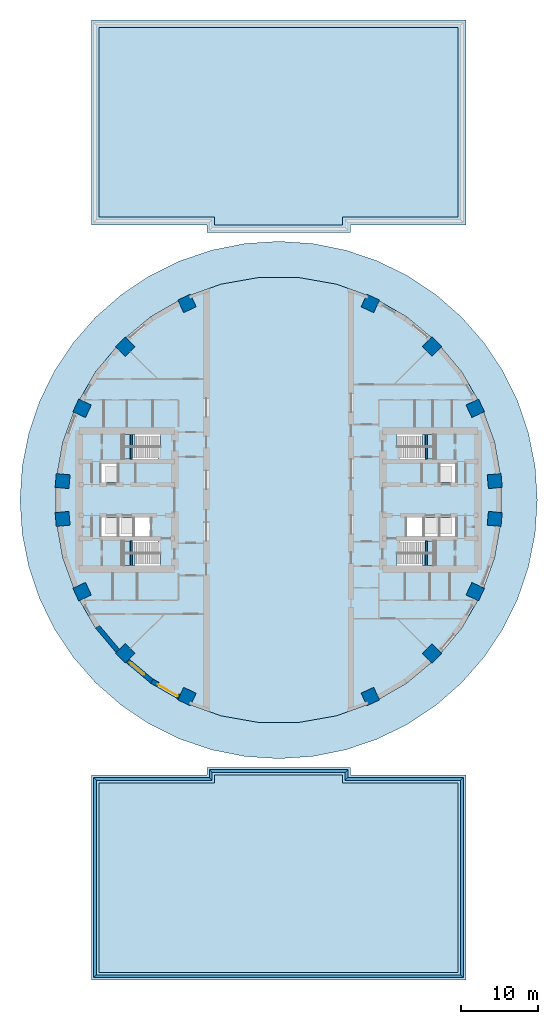
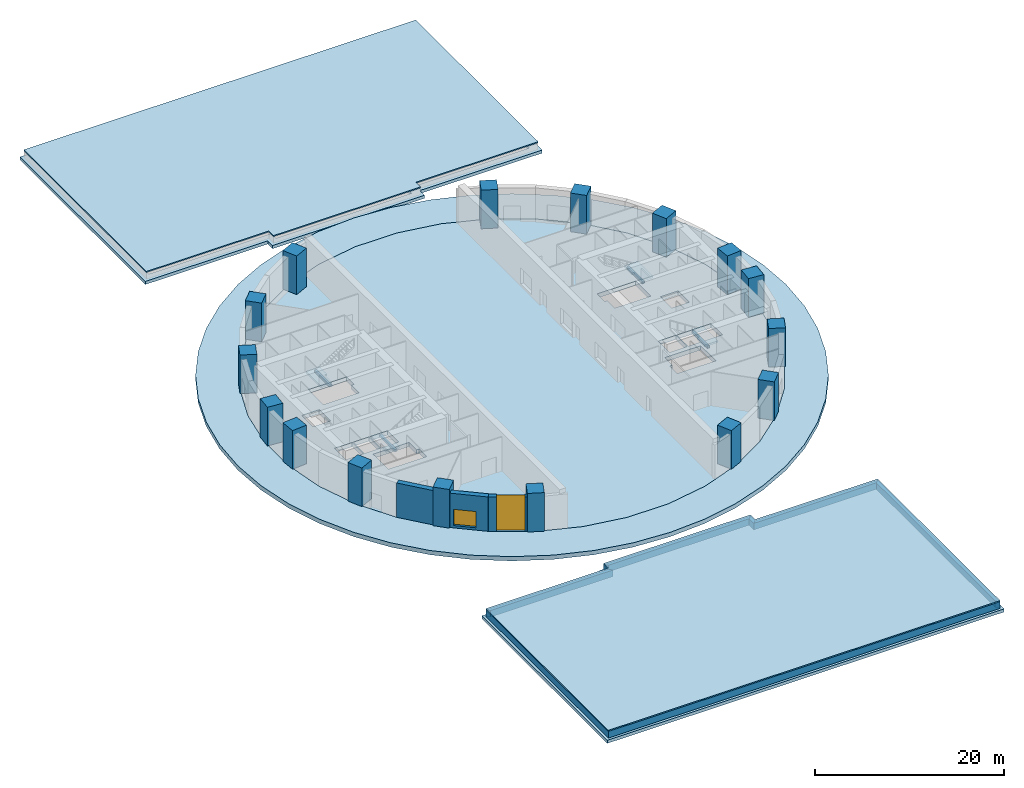
# One storey, part 1 of 10: 16 columns, 11 walls, 8 slabs, 4 beams, 2 footings, 1 door, 1 window, 2 openings, 4 elements without a shape of their own.
"""IFC4 building model written with IfcOpenShell, lengths in metres."""

from ifc_helpers import new_model, si_unit, direction, frame, frame_2d, origin, origin_2d, place, context, subcontext, project, spatial, polyline, rectangle, outline, extrude, material, layer, layer_set, material_profile, profile_set, type_object, element, fill, aggregate, save


model = new_model("IFC4")

# Units and contexts
model_context = context("Model", 3, precision=1e-05, world=origin(), true_north=direction((0.0, 1.0)))
body_context = subcontext(model_context, "Body", "Model", "MODEL_VIEW")
ifc_project = project(units=[si_unit("LENGTHUNIT", "METRE"), si_unit("AREAUNIT", "SQUARE_METRE"), si_unit("VOLUMEUNIT", "CUBIC_METRE"), si_unit("PLANEANGLEUNIT", "RADIAN"), si_unit("MASSUNIT", "GRAM", prefix="KILO")], contexts=[model_context])

# Site, building, storey
site_placement = place(None, origin())
site = spatial("IfcSite", under=ifc_project, at=site_placement, CompositionType="ELEMENT")
building_placement = place(site_placement, origin())
building = spatial("IfcBuilding", under=site, at=building_placement, Name="Saqina Gate Tower", CompositionType="ELEMENT")
storey_placement = place(building_placement, origin())
storey = spatial("IfcBuildingStorey", under=building, at=storey_placement, Name="L00", CompositionType="ELEMENT", Elevation=0.0)

# Footings
ifc_material_1 = material(Name="Concrete C40/50", Category="concrete")
ifc_layer_1 = layer(ifc_material_1, 0.39990234375)
ifc_layer_set_1 = layer_set([ifc_layer_1], Name="Concrete C40/50")
footing_type = type_object("IfcFootingType", Name="STR-FORECOURT-STRIP-1000", PredefinedType="STRIP_FOOTING", material=ifc_layer_set_1)
footing_1_placement = place(storey_placement, frame((0.0, 0.0, -1.39990234375)))
element("IfcFooting", 1, at=footing_1_placement, inside=storey, type_object=footing_type, Name="FORECOURT STRIP FOOTING N", PredefinedType="STRIP_FOOTING", context=body_context, shape_type="SweptSolid", body=[
    extrude(outline(polyline([(-9.300048828125, 35.699951171875), (-9.300048828125, 34.699951171875), (9.300048828125, 34.699951171875), (9.300048828125, 35.699951171875), (24.300048828125, 35.699951171875), (24.300048828125, 62.300048828125), (-24.300048828125, 62.300048828125), (-24.300048828125, 35.699951171875), (-9.300048828125, 35.699951171875)]), holes=[polyline([(8.300048828125, 35.699951171875), (-8.300048828125, 35.699951171875), (-8.300048828125, 36.699951171875), (-23.300048828125, 36.699951171875), (-23.300048828125, 61.300048828125), (23.300048828125, 61.300048828125), (23.300048828125, 36.699951171875), (8.300048828125, 36.699951171875), (8.300048828125, 35.699951171875)])]), origin(), (0.0, 0.0, 1.0), 0.39990234375),
])
footing_2_placement = place(storey_placement, frame((0.0, 0.0, -1.39990234375)))
element("IfcFooting", 2, at=footing_2_placement, inside=storey, type_object=footing_type, Name="FORECOURT STRIP FOOTING S", PredefinedType="STRIP_FOOTING", context=body_context, shape_type="SweptSolid", body=[
    extrude(outline(polyline([(-24.300048828125, -62.300048828125), (24.300048828125, -62.300048828125), (24.300048828125, -35.699951171875), (9.300048828125, -35.699951171875), (9.300048828125, -34.699951171875), (-9.300048828125, -34.699951171875), (-9.300048828125, -35.699951171875), (-24.300048828125, -35.699951171875), (-24.300048828125, -62.300048828125)]), holes=[polyline([(23.300048828125, -36.699951171875), (23.300048828125, -61.300048828125), (-23.300048828125, -61.300048828125), (-23.300048828125, -36.699951171875), (-8.300048828125, -36.699951171875), (-8.300048828125, -35.699951171875), (8.300048828125, -35.699951171875), (8.300048828125, -36.699951171875), (23.300048828125, -36.699951171875)])]), origin(), (0.0, 0.0, 1.0), 0.39990234375),
])

# Columns
ifc_material_2 = material(Name="Concrete C70/85", Category="concrete")
ifc_material_profile_1 = material_profile(ifc_material_2, rectangle(XDim=1.800048828125, YDim=1.800048828125, at=origin_2d()), Name="RC 1800x1800")
ifc_profile_set_1 = profile_set([ifc_material_profile_1], Name="Concrete C70/85")
column_type = type_object("IfcColumnType", Name="STR-COL-MEGA-P", PredefinedType="COLUMN", material=ifc_profile_set_1)
for number, where, z_axis, x_axis, name in (
    (3, (28.04296875, 2.453369140625, 0.0), (0.0, 0.0, 1.0), (0.996194698092, 0.087155742748, 0.0), "L00-COL01"),
    (4, (25.512451171875, 11.896728515625, 0.0), (0.0, 0.0, 1.0), (0.906307787037, 0.422618261741, 0.0), "L00-COL03"),
    (5, (19.905029296875, 19.905029296875, 0.0), (0.0, 0.0, 1.0), (0.707106781187, 0.707106781187, 0.0), "L00-COL05"),
    (6, (11.896728515625, 25.512451171875, 0.0), (0.0, 0.0, 1.0), (0.422618261741, 0.906307787037, 0.0), "L00-COL07"),
    (7, (-11.896728515625, 25.512451171875, 0.0), (0.0, 0.0, 1.0), (-0.422618261741, 0.906307787037, 0.0), "L00-COL12"),
    (8, (-19.905029296875, 19.905029296875, 0.0), (0.0, 0.0, 1.0), (-0.707106781187, 0.707106781187, 0.0), "L00-COL14"),
    (9, (-25.512451171875, 11.896728515625, 0.0), (0.0, 0.0, 1.0), (-0.906307787037, 0.422618261741, 0.0), "L00-COL16"),
    (10, (-28.04296875, 2.453369140625, 0.0), (0.0, 0.0, 1.0), (-0.996194698092, 0.087155742748, 0.0), "L00-COL18"),
    (11, (-28.04296875, -2.453369140625, 0.0), (0.0, 0.0, 1.0), (-0.996194698092, -0.087155742748, 0.0), "L00-COL19"),
    (12, (-25.512451171875, -11.896728515625, 0.0), (0.0, 0.0, 1.0), (-0.906307787037, -0.422618261741, 0.0), "L00-COL21"),
    (13, (-19.905029296875, -19.905029296875, 0.0), (0.0, 0.0, 1.0), (-0.707106781187, -0.707106781187, 0.0), "L00-COL23"),
    (14, (-11.896728515625, -25.512451171875, 0.0), (0.0, 0.0, 1.0), (-0.422618261741, -0.906307787037, 0.0), "L00-COL25"),
    (15, (11.896728515625, -25.512451171875, 0.0), (0.0, 0.0, 1.0), (0.422618261741, -0.906307787037, 0.0), "L00-COL30"),
    (16, (19.905029296875, -19.905029296875, 0.0), (0.0, 0.0, 1.0), (0.707106781187, -0.707106781187, 0.0), "L00-COL32"),
    (17, (25.512451171875, -11.896728515625, 0.0), (0.0, 0.0, 1.0), (0.906307787037, -0.422618261741, 0.0), "L00-COL34"),
    (18, (28.04296875, -2.453369140625, 0.0), (0.0, 0.0, 1.0), (0.996194698092, -0.087155742748, 0.0), "L00-COL36"),
):
    element("IfcColumn", number, at=place(storey_placement, frame(where, z_axis=z_axis, x_axis=x_axis)), inside=storey, type_object=column_type, Name=name, PredefinedType="COLUMN", context=body_context, shape_type="SweptSolid", body=[
        extrude(rectangle(XDim=1.800048828125, YDim=1.800048828125, at=origin_2d()), origin(), (0.0, 0.0, 1.0), 5.0),
    ])

# Beams
ifc_material_3 = material(Name="Concrete C40/50", Category="concrete")
ifc_material_profile_2 = material_profile(ifc_material_3, rectangle(XDim=0.25, YDim=0.300048828125, at=origin_2d()), Name="STAIR LANDING BEAM")
ifc_profile_set_2 = profile_set([ifc_material_profile_2], Name="Concrete C40/50")
beam_type = type_object("IfcBeamType", Name="STAIR LANDING BEAM", PredefinedType="BEAM", material=ifc_profile_set_2)
for number, where, z_axis, x_axis, name in (
    (19, (19.139892578125, 5.300048828125, 2.10009765625), (0.0, 1.0, 0.0), (-1.0, 0.0, 0.0), "EXIT STAIR 1 LANDING BEAM"),
    (20, (19.139892578125, -8.5, 2.10009765625), (0.0, 1.0, 0.0), (-1.0, 0.0, 0.0), "EXIT STAIR 2 LANDING BEAM"),
    (21, (-19.139892578125, 5.300048828125, 2.10009765625), (0.0, 1.0, 0.0), (-1.0, 0.0, 0.0), "EXIT STAIR 3 LANDING BEAM"),
    (22, (-19.139892578125, -8.5, 2.10009765625), (0.0, 1.0, 0.0), (-1.0, 0.0, 0.0), "EXIT STAIR 4 LANDING BEAM"),
):
    element("IfcBeam", number, at=place(storey_placement, frame(where, z_axis=z_axis, x_axis=x_axis)), inside=storey, type_object=beam_type, Name=name, PredefinedType="BEAM", context=body_context, shape_type="SweptSolid", body=[
        extrude(rectangle(XDim=0.25, YDim=0.300048828125, at=origin_2d()), origin(), (0.0, 0.0, 1.0), 3.199951171875),
    ])

# Stair, slab
ifc_material_4 = material(Name="Concrete C40/50", Category="concrete")
stair_type = type_object("IfcStairType", Name="EXIT STAIR", PredefinedType="HALF_TURN_STAIR", material=ifc_material_4)
stair_1_placement = place(storey_placement, origin())
stair_1 = element("IfcStair", 23, at=stair_1_placement, inside=storey, type_object=stair_type, Name="EXIT STAIR 1", PredefinedType="HALF_TURN_STAIR")
ifc_material_5 = material(Name="Concrete C40/50", Category="concrete")
ifc_layer_2 = layer(ifc_material_5, 0.25)
ifc_layer_set_2 = layer_set([ifc_layer_2], Name="Concrete C40/50")
slab_type_1 = type_object("IfcSlabType", Name="EXIT STAIR LANDING", PredefinedType="LANDING", material=ifc_layer_set_2)
slab_1_placement = place(storey_placement, frame((0.0, 0.0, 2.25)))
slab_1 = element("IfcSlab", 24, at=slab_1_placement, type_object=slab_type_1, Name="EXIT STAIR 1 LANDING 1", PredefinedType="LANDING", context=body_context, shape_type="SweptSolid", body=[
    extrude(outline(polyline([(20.340087890625, 8.5), (20.340087890625, 5.300048828125), (18.985107421875, 5.300048828125), (18.985107421875, 6.89990234375), (18.6708984375, 6.89990234375), (18.6708984375, 8.5), (18.985107421875, 8.5), (18.989990234375, 8.5), (20.340087890625, 8.5)])), origin(), (0.0, 0.0, 1.0), 0.25),
])
aggregate(stair_1, [slab_1])

stair_2_placement = place(storey_placement, origin())
stair_2 = element("IfcStair", 25, at=stair_2_placement, inside=storey, type_object=stair_type, Name="EXIT STAIR 2", PredefinedType="HALF_TURN_STAIR")
slab_2_placement = place(storey_placement, frame((0.0, 0.0, 2.25)))
slab_2 = element("IfcSlab", 26, at=slab_2_placement, type_object=slab_type_1, Name="EXIT STAIR 2 LANDING 1", PredefinedType="LANDING", context=body_context, shape_type="SweptSolid", body=[
    extrude(outline(polyline([(18.6708984375, -8.5), (18.6708984375, -6.89990234375), (18.985107421875, -6.89990234375), (18.985107421875, -5.300048828125), (20.340087890625, -5.300048828125), (20.340087890625, -8.5), (18.989990234375, -8.5), (18.985107421875, -8.5), (18.6708984375, -8.5)])), origin(), (0.0, 0.0, 1.0), 0.25),
])
aggregate(stair_2, [slab_2])

stair_3_placement = place(storey_placement, origin())
stair_3 = element("IfcStair", 27, at=stair_3_placement, inside=storey, type_object=stair_type, Name="EXIT STAIR 3", PredefinedType="HALF_TURN_STAIR")
slab_3_placement = place(storey_placement, frame((0.0, 0.0, 2.25)))
slab_3 = element("IfcSlab", 28, at=slab_3_placement, type_object=slab_type_1, Name="EXIT STAIR 3 LANDING 1", PredefinedType="LANDING", context=body_context, shape_type="SweptSolid", body=[
    extrude(outline(polyline([(-18.985107421875, 5.300048828125), (-20.340087890625, 5.300048828125), (-20.340087890625, 8.5), (-18.989990234375, 8.5), (-18.985107421875, 8.5), (-18.6708984375, 8.5), (-18.6708984375, 6.89990234375), (-18.985107421875, 6.89990234375), (-18.985107421875, 5.300048828125)])), origin(), (0.0, 0.0, 1.0), 0.25),
])
aggregate(stair_3, [slab_3])

stair_4_placement = place(storey_placement, origin())
stair_4 = element("IfcStair", 29, at=stair_4_placement, inside=storey, type_object=stair_type, Name="EXIT STAIR 4", PredefinedType="HALF_TURN_STAIR")
slab_4_placement = place(storey_placement, frame((0.0, 0.0, 2.25)))
slab_4 = element("IfcSlab", 30, at=slab_4_placement, type_object=slab_type_1, Name="EXIT STAIR 4 LANDING 1", PredefinedType="LANDING", context=body_context, shape_type="SweptSolid", body=[
    extrude(outline(polyline([(-18.6708984375, -6.89990234375), (-18.6708984375, -8.5), (-18.985107421875, -8.5), (-18.989990234375, -8.5), (-20.340087890625, -8.5), (-20.340087890625, -5.300048828125), (-18.985107421875, -5.300048828125), (-18.985107421875, -6.89990234375), (-18.6708984375, -6.89990234375)])), origin(), (0.0, 0.0, 1.0), 0.25),
])
aggregate(stair_4, [slab_4])

# Slabs
ifc_material_6 = material(Name="Clay paving units", Category="masonry")
ifc_layer_3 = layer(ifc_material_6, 0.14990234375)
ifc_layer_set_3 = layer_set([ifc_layer_3], Name="PV-PAVING")
slab_type_2 = type_object("IfcSlabType", Name="PV-PAVING", PredefinedType="USERDEFINED", material=ifc_layer_set_3)
slab_5_placement = place(storey_placement, frame((0.0, 0.0, -0.14990234375)))
element("IfcSlab", 31, at=slab_5_placement, inside=storey, type_object=slab_type_2, Name="Passage paving and forecourt N", ObjectType="PAVING", PredefinedType="USERDEFINED", context=body_context, shape_type="SweptSolid", body=[
    extrude(outline(polyline([(-9.0, 35.0), (9.0, 35.0), (9.0, 36.0), (24.0, 36.0), (24.0, 62.0), (-24.0, 62.0), (-24.0, 36.0), (-9.0, 36.0), (-9.0, 35.0)])), origin(), (0.0, 0.0, 1.0), 0.14990234375),
])
slab_6_placement = place(storey_placement, frame((0.0, 0.0, -0.14990234375)))
element("IfcSlab", 32, at=slab_6_placement, inside=storey, type_object=slab_type_2, Name="Passage paving and forecourt S", ObjectType="PAVING", PredefinedType="USERDEFINED", context=body_context, shape_type="SweptSolid", body=[
    extrude(outline(polyline([(24.0, -62.0), (24.0, -36.0), (9.0, -36.0), (9.0, -35.0), (-9.0, -35.0), (-9.0, -36.0), (-24.0, -36.0), (-24.0, -62.0), (24.0, -62.0)])), origin(), (0.0, 0.0, 1.0), 0.14990234375),
])
ifc_material_7 = material(Name="Concrete C40/50", Category="concrete")
ifc_layer_4 = layer(ifc_material_7, 0.550048828125)
ifc_layer_set_4 = layer_set([ifc_layer_4], Name="Concrete C40/50")
slab_type_3 = type_object("IfcSlabType", Name="STR-POST-TENSIONED FLAT PLATE FLOOR-550", PredefinedType="FLOOR", material=ifc_layer_set_4)
slab_7_placement = place(storey_placement, frame((0.0, 0.0, -0.550048828125)))
element("IfcSlab", 33, at=slab_7_placement, inside=storey, type_object=slab_type_3, Name="L00-SLB01", PredefinedType="FLOOR", context=body_context, shape_type="SweptSolid", body=[
    extrude(outline(polyline([(28.8896484375, -2.527587890625), (28.8896484375, 2.527587890625), (28.011962890625, 7.505859375), (26.282958984375, 12.255859375), (23.75537109375, 16.6337890625), (20.506103515625, 20.506103515625), (16.6337890625, 23.75537109375), (12.255859375, 26.282958984375), (7.505859375, 28.011962890625), (2.527587890625, 28.8896484375), (-2.527587890625, 28.8896484375), (-7.505859375, 28.011962890625), (-12.255859375, 26.282958984375), (-16.6337890625, 23.75537109375), (-20.506103515625, 20.506103515625), (-23.75537109375, 16.6337890625), (-26.282958984375, 12.255859375), (-28.011962890625, 7.505859375), (-28.8896484375, 2.527587890625), (-28.8896484375, -2.527587890625), (-28.011962890625, -7.505859375), (-26.282958984375, -12.255859375), (-23.75537109375, -16.6337890625), (-20.506103515625, -20.506103515625), (-16.6337890625, -23.75537109375), (-12.255859375, -26.282958984375), (-7.505859375, -28.011962890625), (-2.527587890625, -28.8896484375), (2.527587890625, -28.8896484375), (7.505859375, -28.011962890625), (12.255859375, -26.282958984375), (16.6337890625, -23.75537109375), (20.506103515625, -20.506103515625), (23.75537109375, -16.6337890625), (26.282958984375, -12.255859375), (28.011962890625, -7.505859375), (28.8896484375, -2.527587890625)]), holes=[polyline([(-20.06005859375, -8.5), (-20.06005859375, -6.89990234375), (-20.06005859375, -5.300048828125), (-15.6689453125, -5.300048828125), (-15.6689453125, -6.89990234375), (-15.35498046875, -6.89990234375), (-15.35498046875, -8.5), (-20.06005859375, -8.5)]), polyline([(-20.89990234375, -2.300048828125), (-20.89990234375, -4.699951171875), (-23.06005859375, -4.699951171875), (-23.06005859375, -2.300048828125), (-20.89990234375, -2.300048828125)]), polyline([(-18.8701171875, -2.300048828125), (-18.8701171875, -4.699951171875), (-20.780029296875, -4.699951171875), (-20.780029296875, -2.300048828125), (-18.8701171875, -2.300048828125)]), polyline([(-16.590087890625, -2.300048828125), (-16.590087890625, -4.699951171875), (-18.75, -4.699951171875), (-18.75, -2.300048828125), (-16.590087890625, -2.300048828125)]), polyline([(-20.89990234375, 4.699951171875), (-20.89990234375, 2.300048828125), (-23.06005859375, 2.300048828125), (-23.06005859375, 4.699951171875), (-20.89990234375, 4.699951171875)]), polyline([(-20.06005859375, 6.89990234375), (-20.06005859375, 8.5), (-15.35498046875, 8.5), (-15.35498046875, 6.89990234375), (-15.6689453125, 6.89990234375), (-15.6689453125, 5.300048828125), (-20.06005859375, 5.300048828125), (-20.06005859375, 6.89990234375)]), polyline([(15.35498046875, -6.89990234375), (15.6689453125, -6.89990234375), (15.6689453125, -5.300048828125), (20.06005859375, -5.300048828125), (20.06005859375, -6.89990234375), (20.06005859375, -8.5), (15.35498046875, -8.5), (15.35498046875, -6.89990234375)]), polyline([(18.75, -2.300048828125), (18.75, -4.699951171875), (16.590087890625, -4.699951171875), (16.590087890625, -2.300048828125), (18.75, -2.300048828125)]), polyline([(20.780029296875, -2.300048828125), (20.780029296875, -4.699951171875), (18.8701171875, -4.699951171875), (18.8701171875, -2.300048828125), (20.780029296875, -2.300048828125)]), polyline([(23.06005859375, -2.300048828125), (23.06005859375, -4.699951171875), (20.89990234375, -4.699951171875), (20.89990234375, -2.300048828125), (23.06005859375, -2.300048828125)]), polyline([(23.06005859375, 4.699951171875), (23.06005859375, 2.300048828125), (20.89990234375, 2.300048828125), (20.89990234375, 4.699951171875), (23.06005859375, 4.699951171875)]), polyline([(15.6689453125, 6.89990234375), (15.35498046875, 6.89990234375), (15.35498046875, 8.5), (20.06005859375, 8.5), (20.06005859375, 6.89990234375), (20.06005859375, 5.300048828125), (15.6689453125, 5.300048828125), (15.6689453125, 6.89990234375)])]), origin(), (0.0, 0.0, 1.0), 0.550048828125),
])
ifc_material_8 = material(Name="Concrete C40/50", Category="concrete")
ifc_layer_5 = layer(ifc_material_8, 0.550048828125)
ifc_layer_set_5 = layer_set([ifc_layer_5], Name="Concrete C40/50")
slab_type_4 = type_object("IfcSlabType", Name="STR-SLAB PLAZA-550", PredefinedType="FLOOR", material=ifc_layer_set_5)
slab_8_placement = place(storey_placement, frame((0.0, 0.0, -0.550048828125)))
element("IfcSlab", 34, at=slab_8_placement, inside=storey, type_object=slab_type_4, Name="L00-PLZ01", PredefinedType="FLOOR", context=body_context, shape_type="SweptSolid", body=[
    extrude(outline(polyline([(33.28466796875, -4.382080078125), (33.57177734375, 0.0), (33.28466796875, 4.382080078125), (32.427978515625, 8.68896484375), (31.016357421875, 12.847412109375), (29.07421875, 16.785888671875), (26.63427734375, 20.437255859375), (23.739013671875, 23.739013671875), (20.437255859375, 26.63427734375), (16.785888671875, 29.07421875), (12.847412109375, 31.016357421875), (8.68896484375, 32.427978515625), (4.382080078125, 33.28466796875), (0.0, 33.57177734375), (-4.382080078125, 33.28466796875), (-8.68896484375, 32.427978515625), (-12.847412109375, 31.016357421875), (-16.785888671875, 29.07421875), (-20.437255859375, 26.63427734375), (-23.739013671875, 23.739013671875), (-26.63427734375, 20.437255859375), (-29.07421875, 16.785888671875), (-31.016357421875, 12.847412109375), (-32.427978515625, 8.68896484375), (-33.28466796875, 4.382080078125), (-33.57177734375, 0.0), (-33.28466796875, -4.382080078125), (-32.427978515625, -8.68896484375), (-31.016357421875, -12.847412109375), (-29.07421875, -16.785888671875), (-26.63427734375, -20.437255859375), (-23.739013671875, -23.739013671875), (-20.437255859375, -26.63427734375), (-16.785888671875, -29.07421875), (-12.847412109375, -31.016357421875), (-8.68896484375, -32.427978515625), (-4.382080078125, -33.28466796875), (0.0, -33.57177734375), (4.382080078125, -33.28466796875), (8.68896484375, -32.427978515625), (12.847412109375, -31.016357421875), (16.785888671875, -29.07421875), (20.437255859375, -26.63427734375), (23.739013671875, -23.739013671875), (26.63427734375, -20.437255859375), (29.07421875, -16.785888671875), (31.016357421875, -12.847412109375), (32.427978515625, -8.68896484375), (33.28466796875, -4.382080078125)]), holes=[polyline([(28.011962890625, 7.505859375), (28.8896484375, 2.527587890625), (28.8896484375, -2.527587890625), (28.011962890625, -7.505859375), (26.282958984375, -12.255859375), (23.75537109375, -16.6337890625), (20.506103515625, -20.506103515625), (16.6337890625, -23.75537109375), (12.255859375, -26.282958984375), (7.505859375, -28.011962890625), (2.527587890625, -28.8896484375), (-2.527587890625, -28.8896484375), (-7.505859375, -28.011962890625), (-12.255859375, -26.282958984375), (-16.6337890625, -23.75537109375), (-20.506103515625, -20.506103515625), (-23.75537109375, -16.6337890625), (-26.282958984375, -12.255859375), (-28.011962890625, -7.505859375), (-28.8896484375, -2.527587890625), (-28.8896484375, 2.527587890625), (-28.011962890625, 7.505859375), (-26.282958984375, 12.255859375), (-23.75537109375, 16.6337890625), (-20.506103515625, 20.506103515625), (-16.6337890625, 23.75537109375), (-12.255859375, 26.282958984375), (-7.505859375, 28.011962890625), (-2.527587890625, 28.8896484375), (2.527587890625, 28.8896484375), (7.505859375, 28.011962890625), (12.255859375, 26.282958984375), (16.6337890625, 23.75537109375), (20.506103515625, 20.506103515625), (23.75537109375, 16.6337890625), (26.282958984375, 12.255859375), (28.011962890625, 7.505859375)])]), origin(), (0.0, 0.0, 1.0), 0.550048828125),
])

# Wall
ifc_material_9 = material(Name="Brick masonry (red)", Category="masonry")
ifc_layer_6 = layer(ifc_material_9, 0.60009765625)
ifc_layer_set_6 = layer_set([ifc_layer_6], Name="FW-BRICK-RED")
wall_type_1 = type_object("IfcWallType", Name="FW-BRICK-RED", PredefinedType="SOLIDWALL", material=ifc_layer_set_6)
wall_1_placement = place(storey_placement, frame((-23.50634765625, -16.4638671875, 0.0), z_axis=(0.0, 0.0, 1.0), x_axis=(0.642800844336, -0.766033337734, 0.0)))
element("IfcWall", 35, at=wall_1_placement, inside=storey, type_object=wall_type_1, Name="Facade wall L00 facet 22", PredefinedType="SOLIDWALL", context=body_context, shape_type="SweptSolid", body=[
    extrude(rectangle(XDim=4.0693359375, YDim=0.60009765625, at=frame_2d((2.03466796875, 0.0))), origin(), (0.0, 0.0, 1.0), 4.449951171875),
])

# Wall, opening, window
wall_2_placement = place(storey_placement, frame((-19.5810546875, -20.890625, 0.0), z_axis=(0.0, 0.0, 1.0), x_axis=(0.766033337734, -0.642800844336, 0.0)))
wall_2 = element("IfcWall", 36, at=wall_2_placement, inside=storey, type_object=wall_type_1, Name="Facade wall L00 facet 23", PredefinedType="SOLIDWALL", context=body_context, shape_type="SweptSolid", body=[
    extrude(rectangle(XDim=4.0693359375, YDim=0.60009765625, at=frame_2d((2.03466796875, 0.0))), origin(), (0.0, 0.0, 1.0), 4.449951171875),
])
opening_1_placement = place(wall_2_placement, frame((0.37158203125, 0.0, 0.300048828125)))
opening_1 = element("IfcOpeningElement", 37, at=opening_1_placement, cuts=wall_2, Name="Opening L00-W61", PredefinedType="OPENING", context=body_context, shape_type="SweptSolid", body=[
    extrude(rectangle(XDim=2.39990234375, YDim=2.10009765625, at=frame_2d((1.199951171875, 1.050048828125))), frame((0.0, 0.31201171875, 0.0), z_axis=(0.0, -1.0, 0.0), x_axis=(1.0, 0.0, 0.0)), (0.0, 0.0, 1.0), 0.6240234375),
])
ifc_material_10 = material(Name="Double glazed unit in aluminium frame", Category="aluminium")
window_type = type_object("IfcWindowType", Name="SHOPFRONT WINDOW 2400", PartitioningType="SINGLE_PANEL", PredefinedType="WINDOW", material=ifc_material_10)
window_placement = place(opening_1_placement, origin())
window = element("IfcWindow", 38, at=window_placement, inside=storey, type_object=window_type, Name="Shopfront window", OverallHeight=2.10009765625, OverallWidth=2.39990234375, PartitioningType="SINGLE_PANEL", PredefinedType="WINDOW", context=body_context, shape_type="SweptSolid", body=[
    extrude(rectangle(XDim=2.39990234375, YDim=2.10009765625, at=frame_2d((1.199951171875, 1.050048828125))), frame((0.0, 0.030029296875, 0.0), z_axis=(0.0, -1.0, 0.0), x_axis=(1.0, 0.0, 0.0)), (0.0, 0.0, 1.0), 0.06005859375),
])
fill(opening_1, window)

# Wall, opening, door
wall_3_placement = place(storey_placement, frame((-16.457763671875, -23.510498046875, 0.0), z_axis=(0.0, 0.0, 1.0), x_axis=(0.866011732453, -0.500023678693, 0.0)))
wall_3 = element("IfcWall", 39, at=wall_3_placement, inside=storey, type_object=wall_type_1, Name="Facade wall L00 facet 24", PredefinedType="SOLIDWALL", context=body_context, shape_type="SweptSolid", body=[
    extrude(rectangle(XDim=4.069091796875, YDim=0.60009765625, at=frame_2d((2.03466796875, 0.0))), origin(), (0.0, 0.0, 1.0), 4.449951171875),
])
opening_2_placement = place(wall_3_placement, frame((0.869140625, 0.0, 0.0)))
opening_2 = element("IfcOpeningElement", 40, at=opening_2_placement, cuts=wall_3, Name="Opening L00-D44", PredefinedType="OPENING", context=body_context, shape_type="SweptSolid", body=[
    extrude(rectangle(XDim=3.0, YDim=4.5, at=frame_2d((1.5, 2.25))), frame((0.0, 0.31201171875, 0.0), z_axis=(0.0, -1.0, 0.0), x_axis=(1.0, 0.0, 0.0)), (0.0, 0.0, 1.0), 0.6240234375),
])
ifc_material_11 = material(Name="Galvanised steel roller shutter", Category="steel")
door_type = type_object("IfcDoorType", Name="ROLLER SHUTTER 3000", OperationType="ROLLINGUP", PredefinedType="DOOR", material=ifc_material_11)
door_placement = place(opening_2_placement, frame((3.0, 0.0, 0.0), z_axis=(0.0, 0.0, 1.0), x_axis=(-1.0, 0.0, 0.0)))
door = element("IfcDoor", 41, at=door_placement, inside=storey, type_object=door_type, Name="Loading bay roller shutter", OperationType="SINGLE_SWING_LEFT", OverallHeight=4.5, OverallWidth=3.0, PredefinedType="DOOR", context=body_context, shape_type="SweptSolid", body=[
    extrude(rectangle(XDim=3.0, YDim=4.5, at=frame_2d((1.5, 2.25))), frame((0.0, 0.02490234375, 0.0), z_axis=(0.0, -1.0, 0.0), x_axis=(1.0, 0.0, 0.0)), (0.0, 0.0, 1.0), 0.050048828125),
])
fill(opening_2, door)

# Walls
ifc_material_12 = material(Name="Concrete C40/50", Category="concrete")
ifc_layer_7 = layer(ifc_material_12, 0.3798828125)
ifc_layer_set_7 = layer_set([ifc_layer_7], Name="Concrete C40/50")
wall_type_2 = type_object("IfcWallType", Name="STR-WALL-PLINTH", PredefinedType="SOLIDWALL", material=ifc_layer_set_7)
wall_4_placement = place(storey_placement, frame((0.0, 0.0, -1.0)))
element("IfcWall", 42, at=wall_4_placement, inside=storey, type_object=wall_type_2, Name="FORECOURT PLINTH WALL S1", PredefinedType="SOLIDWALL", context=body_context, shape_type="SweptSolid", body=[
    extrude(outline(polyline([(24.0, -62.0), (24.0, -36.0), (23.6201171875, -36.3798828125), (23.6201171875, -61.6201171875), (24.0, -62.0)])), origin(), (0.0, 0.0, 1.0), 0.85009765625),
])
wall_5_placement = place(storey_placement, frame((0.0, 0.0, -1.0)))
element("IfcWall", 43, at=wall_5_placement, inside=storey, type_object=wall_type_2, Name="FORECOURT PLINTH WALL S2", PredefinedType="SOLIDWALL", context=body_context, shape_type="SweptSolid", body=[
    extrude(outline(polyline([(24.0, -36.0), (9.0, -36.0), (8.6201171875, -36.3798828125), (23.6201171875, -36.3798828125), (24.0, -36.0)])), origin(), (0.0, 0.0, 1.0), 0.85009765625),
])
wall_6_placement = place(storey_placement, frame((0.0, 0.0, -1.0)))
element("IfcWall", 44, at=wall_6_placement, inside=storey, type_object=wall_type_2, Name="FORECOURT PLINTH WALL S3", PredefinedType="SOLIDWALL", context=body_context, shape_type="SweptSolid", body=[
    extrude(outline(polyline([(9.0, -36.0), (9.0, -35.0), (8.6201171875, -35.3798828125), (8.6201171875, -36.3798828125), (9.0, -36.0)])), origin(), (0.0, 0.0, 1.0), 0.85009765625),
])
wall_7_placement = place(storey_placement, frame((0.0, 0.0, -1.0)))
element("IfcWall", 45, at=wall_7_placement, inside=storey, type_object=wall_type_2, Name="FORECOURT PLINTH WALL S4", PredefinedType="SOLIDWALL", context=body_context, shape_type="SweptSolid", body=[
    extrude(outline(polyline([(9.0, -35.0), (-9.0, -35.0), (-8.6201171875, -35.3798828125), (8.6201171875, -35.3798828125), (9.0, -35.0)])), origin(), (0.0, 0.0, 1.0), 0.85009765625),
])
wall_8_placement = place(storey_placement, frame((0.0, 0.0, -1.0)))
element("IfcWall", 46, at=wall_8_placement, inside=storey, type_object=wall_type_2, Name="FORECOURT PLINTH WALL S5", PredefinedType="SOLIDWALL", context=body_context, shape_type="SweptSolid", body=[
    extrude(outline(polyline([(-9.0, -35.0), (-9.0, -36.0), (-8.6201171875, -36.3798828125), (-8.6201171875, -35.3798828125), (-9.0, -35.0)])), origin(), (0.0, 0.0, 1.0), 0.85009765625),
])
wall_9_placement = place(storey_placement, frame((0.0, 0.0, -1.0)))
element("IfcWall", 47, at=wall_9_placement, inside=storey, type_object=wall_type_2, Name="FORECOURT PLINTH WALL S6", PredefinedType="SOLIDWALL", context=body_context, shape_type="SweptSolid", body=[
    extrude(outline(polyline([(-9.0, -36.0), (-24.0, -36.0), (-23.6201171875, -36.3798828125), (-8.6201171875, -36.3798828125), (-9.0, -36.0)])), origin(), (0.0, 0.0, 1.0), 0.85009765625),
])
wall_10_placement = place(storey_placement, frame((0.0, 0.0, -1.0)))
element("IfcWall", 48, at=wall_10_placement, inside=storey, type_object=wall_type_2, Name="FORECOURT PLINTH WALL S7", PredefinedType="SOLIDWALL", context=body_context, shape_type="SweptSolid", body=[
    extrude(outline(polyline([(-24.0, -36.0), (-24.0, -62.0), (-23.6201171875, -61.6201171875), (-23.6201171875, -36.3798828125), (-24.0, -36.0)])), origin(), (0.0, 0.0, 1.0), 0.85009765625),
])
wall_11_placement = place(storey_placement, frame((0.0, 0.0, -1.0)))
element("IfcWall", 49, at=wall_11_placement, inside=storey, type_object=wall_type_2, Name="FORECOURT PLINTH WALL S8", PredefinedType="SOLIDWALL", context=body_context, shape_type="SweptSolid", body=[
    extrude(outline(polyline([(-24.0, -62.0), (24.0, -62.0), (23.6201171875, -61.6201171875), (-23.6201171875, -61.6201171875), (-24.0, -62.0)])), origin(), (0.0, 0.0, 1.0), 0.85009765625),
])

save(model, "model.ifc")
